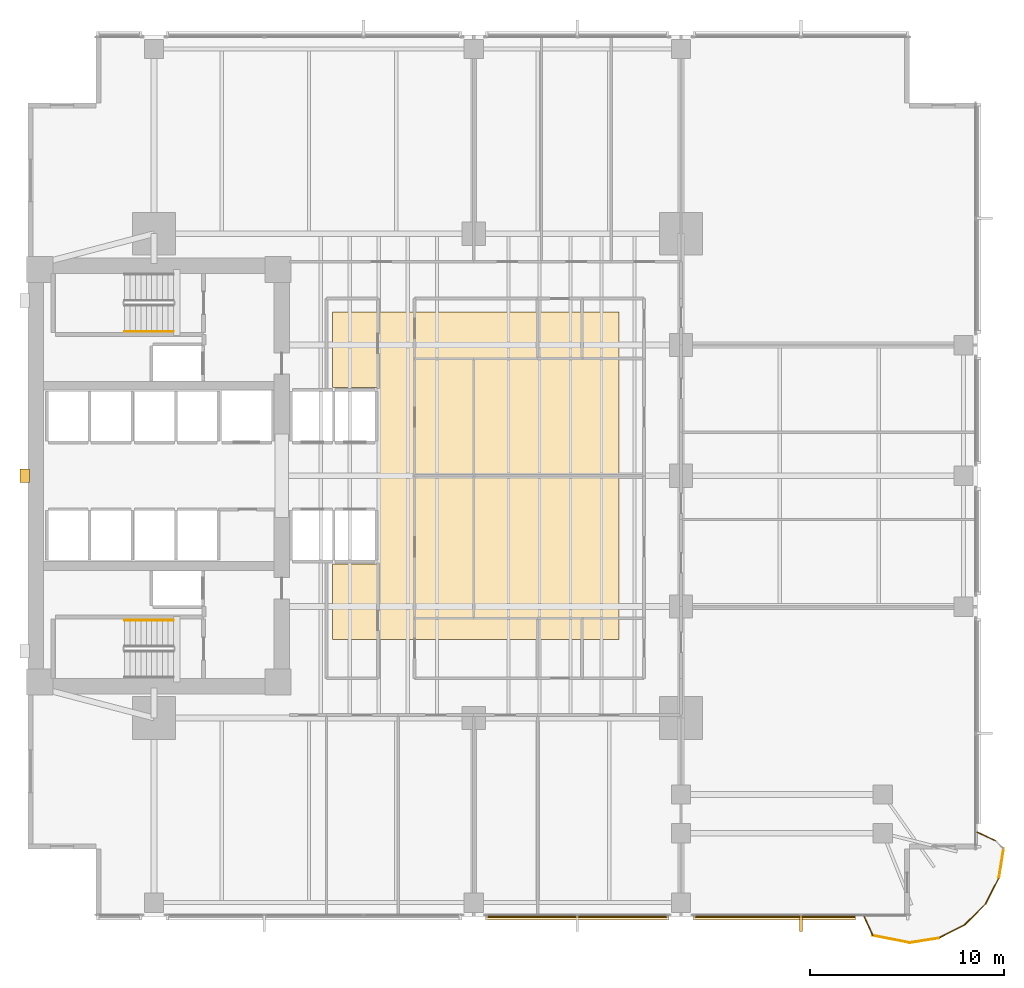
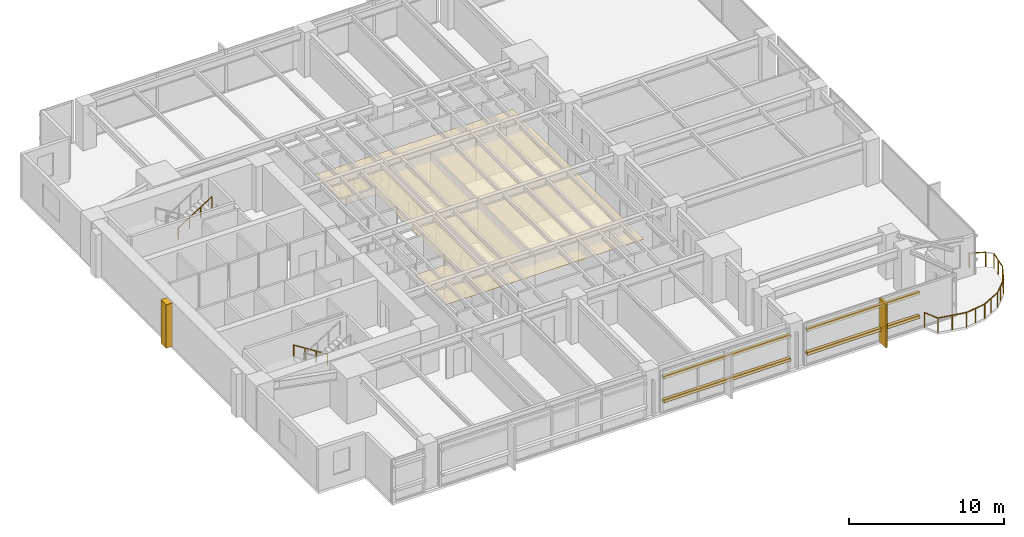
# One storey, part 13 of 16: 10 railings, 7 coverings, 4 shading devices.
"""IFC4 building model written with IfcOpenShell, lengths in metres."""

from ifc_helpers import new_model, si_unit, direction, frame, origin, origin_2d, place, context, subcontext, project, spatial, polyline, rectangle, circle, outline, extrude, material, layer, layer_set, material_profile, profile_set, type_object, element, save


model = new_model("IFC4")

# Units and contexts
model_context = context("Model", 3, precision=1e-05, world=origin(), true_north=direction((0.0, 1.0)))
body_context = subcontext(model_context, "Body", "Model", "MODEL_VIEW")
ifc_project = project(units=[si_unit("LENGTHUNIT", "METRE"), si_unit("AREAUNIT", "SQUARE_METRE"), si_unit("VOLUMEUNIT", "CUBIC_METRE"), si_unit("PLANEANGLEUNIT", "RADIAN"), si_unit("MASSUNIT", "GRAM", prefix="KILO")], contexts=[model_context])

# Site, building, storey
site_placement = place(None, origin())
site = spatial("IfcSite", under=ifc_project, at=site_placement, CompositionType="ELEMENT")
building_placement = place(site_placement, origin())
building = spatial("IfcBuilding", under=site, at=building_placement, Name="Kinhvarn Gate Tower", CompositionType="ELEMENT")
storey_placement = place(building_placement, frame((0.0, 0.0, 82.39990234375)))
storey = spatial("IfcBuildingStorey", under=building, at=storey_placement, Name="L21", CompositionType="ELEMENT", Elevation=82.39990234375)

# Coverings
ifc_material_1 = material(Name="Fired architectural terracotta", Category="masonry")
ifc_layer_1 = layer(ifc_material_1, 0.239990234375)
ifc_layer_set_1 = layer_set([ifc_layer_1], Name="Fired architectural terracotta")
covering_type_1 = type_object("IfcCoveringType", Name="COV-BAG-220", PredefinedType="CLADDING", material=ifc_layer_set_1)
for number, where, name in (
    (1, (0.0, 0.0, 0.940185546875), "Terracotta Horizontal Sunscreen Band TBG-220 (L21)"),
    (2, (0.0, 0.0, 2.81005859375), "Terracotta Horizontal Sunscreen Band TBG-220 (L21)"),
):
    element("IfcCovering", number, at=place(storey_placement, frame(where)), inside=storey, type_object=covering_type_1, Name=name, PredefinedType="CLADDING", context=body_context, shape_type="SweptSolid", body=[
        extrude(outline(polyline([(28.1201171875, 2.56005859375), (37.580078125, 2.56005859375), (37.580078125, 2.320068359375), (28.1201171875, 2.320068359375), (28.1201171875, 2.56005859375)])), origin(), (0.0, 0.0, 1.0), 0.219970703125),
    ])
for number, where, name in (
    (3, (0.0, 0.0, 0.940185546875), "Terracotta Horizontal Sunscreen Band TBG-220 (L21)"),
    (4, (0.0, 0.0, 2.81005859375), "Terracotta Horizontal Sunscreen Band TBG-220 (L21)"),
):
    element("IfcCovering", number, at=place(storey_placement, frame(where)), inside=storey, type_object=covering_type_1, Name=name, PredefinedType="CLADDING", context=body_context, shape_type="SweptSolid", body=[
        extrude(outline(polyline([(38.820068359375, 2.56005859375), (47.200927734375, 2.56005859375), (47.200927734375, 2.320068359375), (38.820068359375, 2.320068359375), (38.820068359375, 2.56005859375)])), origin(), (0.0, 0.0, 1.0), 0.219970703125),
    ])
ifc_material_2 = material(Name="Mineral-fibre acoustic ceiling tile")
ifc_layer_2 = layer(ifc_material_2, 0.02001953125)
ifc_layer_set_2 = layer_set([ifc_layer_2], Name="Mineral-fibre acoustic ceiling tile")
covering_type_2 = type_object("IfcCoveringType", Name="COV-CEIL-20", PredefinedType="CEILING", material=ifc_layer_set_2)
covering_1_placement = place(storey_placement, frame((0.0, 0.0, 2.650146484375)))
element("IfcCovering", 5, at=covering_1_placement, inside=storey, type_object=covering_type_2, Name="Suspended Acoustic Ceiling Tile (L21-1)", PredefinedType="CEILING", context=body_context, shape_type="SweptSolid", body=[
    extrude(outline(polyline([(35.0, 33.699951171875), (35.0, 16.800048828125), (20.199951171875, 16.800048828125), (20.199951171875, 20.699951171875), (22.60009765625, 20.699951171875), (22.60009765625, 29.800048828125), (20.199951171875, 29.800048828125), (20.199951171875, 33.699951171875), (35.0, 33.699951171875)])), origin(), (0.0, 0.0, 1.0), 0.02001953125),
])
ifc_layer_3 = layer(ifc_material_1, 0.139892578125)
ifc_layer_set_3 = layer_set([ifc_layer_3], Name="Fired architectural terracotta")
covering_type_3 = type_object("IfcCoveringType", Name="COV-FIN-850", PredefinedType="CLADDING", material=ifc_layer_set_3)
covering_2_placement = place(storey_placement, frame((0.0, 0.0, -0.02001953125)))
element("IfcCovering", 6, at=covering_2_placement, inside=storey, type_object=covering_type_3, Name="Vertical Terracotta Expressive Fin TFN-850 (L21)", PredefinedType="CLADDING", context=body_context, shape_type="SweptSolid", body=[
    extrude(outline(polyline([(44.320068359375, 2.570068359375), (44.4599609375, 2.570068359375), (44.4599609375, 1.719970703125), (44.320068359375, 1.719970703125), (44.320068359375, 2.570068359375)])), origin(), (0.0, 0.0, 1.0), 3.41015625),
])
ifc_material_3 = material(Name="Precast white architectural concrete C40/50", Category="concrete")
ifc_layer_4 = layer(ifc_material_3, 0.47998046875)
ifc_layer_set_4 = layer_set([ifc_layer_4], Name="Precast white architectural concrete C40/50")
covering_type_4 = type_object("IfcCoveringType", Name="COV-RIB-450", PredefinedType="CLADDING", material=ifc_layer_set_4)
covering_3_placement = place(storey_placement, frame((0.0, 0.0, -0.02001953125)))
element("IfcCovering", 7, at=covering_3_placement, inside=storey, type_object=covering_type_4, Name="West Core Sculptural Concrete Relief Rib CRB-450 (L21)", PredefinedType="CLADDING", context=body_context, shape_type="SweptSolid", body=[
    extrude(outline(polyline([(4.080078125, 24.89990234375), (4.56005859375, 24.89990234375), (4.56005859375, 25.60009765625), (4.080078125, 25.60009765625), (4.080078125, 24.89990234375)])), origin(), (0.0, 0.0, 1.0), 3.41015625),
])

# Railings
ifc_material_4 = material(Name="Clear low-e double glazing", Category="glass")
railing_type_1 = type_object("IfcRailingType", Name="RL-BAL-1150", PredefinedType="BALUSTRADE", material=ifc_material_4)
railing_1_placement = place(storey_placement, frame((47.65087890625, 2.5, 0.0)))
element("IfcRailing", 8, at=railing_1_placement, inside=storey, type_object=railing_type_1, Name="S-Carve Balcony Guardrail Seg 1 (L21)", PredefinedType="BALUSTRADE", context=body_context, shape_type="SweptSolid", body=[
    extrude(circle(Radius=0.02392578125, at=origin_2d()), frame((0.0, 0.0, 1.1259765625), z_axis=(0.420300830951, -0.907384819965, 0.0), x_axis=(0.907384819965, 0.420300830951, 0.0)), (0.0, 0.0, 1.0), 1.071044921875),
    extrude(circle(Radius=0.02099609375, at=origin_2d()), origin(), (0.0, 0.0, 1.0), 1.101806640625),
    extrude(circle(Radius=0.02099609375, at=origin_2d()), frame((0.4501953125, -0.971923828125, 0.0)), (0.0, 0.0, 1.0), 1.101806640625),
])
railing_2_placement = place(storey_placement, frame((48.10107421875, 1.528076171875, 0.0)))
element("IfcRailing", 9, at=railing_2_placement, inside=storey, type_object=railing_type_1, Name="S-Carve Balcony Guardrail Seg 2 (L21)", PredefinedType="BALUSTRADE", context=body_context, shape_type="SweptSolid", body=[
    extrude(circle(Radius=0.02392578125, at=origin_2d()), frame((0.0, 0.0, 1.1259765625), z_axis=(0.980740388519, -0.195315873209, 0.0), x_axis=(0.195315873209, 0.980740388519, 0.0)), (0.0, 0.0, 1.0), 1.936279296875),
    extrude(circle(Radius=0.02099609375, at=origin_2d()), origin(), (0.0, 0.0, 1.0), 1.101806640625),
    extrude(circle(Radius=0.02099609375, at=origin_2d()), frame((0.949462890625, -0.18896484375, 0.0)), (0.0, 0.0, 1.0), 1.101806640625),
    extrude(circle(Radius=0.02099609375, at=origin_2d()), frame((1.89892578125, -0.378173828125, 0.0)), (0.0, 0.0, 1.0), 1.101806640625),
])
railing_3_placement = place(storey_placement, frame((50.0, 1.14990234375, 0.0)))
element("IfcRailing", 10, at=railing_3_placement, inside=storey, type_object=railing_type_1, Name="S-Carve Balcony Guardrail Seg 3 (L21)", PredefinedType="BALUSTRADE", context=body_context, shape_type="SweptSolid", body=[
    extrude(circle(Radius=0.02392578125, at=origin_2d()), frame((0.0, 0.0, 1.1259765625), z_axis=(0.987671483067, 0.156540862196, 0.0), x_axis=(-0.156540862196, 0.987671483067, 0.0)), (0.0, 0.0, 1.0), 1.517578125),
    extrude(circle(Radius=0.02099609375, at=origin_2d()), origin(), (0.0, 0.0, 1.0), 1.101806640625),
    extrude(circle(Radius=0.02099609375, at=origin_2d()), frame((0.74951171875, 0.11865234375, 0.0)), (0.0, 0.0, 1.0), 1.101806640625),
    extrude(circle(Radius=0.02099609375, at=origin_2d()), frame((1.498779296875, 0.237548828125, 0.0)), (0.0, 0.0, 1.0), 1.101806640625),
])
railing_4_placement = place(storey_placement, frame((51.498779296875, 1.387451171875, 0.0)))
element("IfcRailing", 11, at=railing_4_placement, inside=storey, type_object=railing_type_1, Name="S-Carve Balcony Guardrail Seg 4 (L21)", PredefinedType="BALUSTRADE", context=body_context, shape_type="SweptSolid", body=[
    extrude(circle(Radius=0.02392578125, at=origin_2d()), frame((0.0, 0.0, 1.1259765625), z_axis=(0.890990379828, 0.454022183437, 0.0), x_axis=(-0.454022183437, 0.890990379828, 0.0)), (0.0, 0.0, 1.0), 1.517578125),
    extrude(circle(Radius=0.02099609375, at=origin_2d()), origin(), (0.0, 0.0, 1.0), 1.101806640625),
    extrude(circle(Radius=0.02099609375, at=origin_2d()), frame((0.676025390625, 0.344482421875, 0.0)), (0.0, 0.0, 1.0), 1.101806640625),
    extrude(circle(Radius=0.02099609375, at=origin_2d()), frame((1.35205078125, 0.68896484375, 0.0)), (0.0, 0.0, 1.0), 1.101806640625),
])
railing_5_placement = place(storey_placement, frame((52.850830078125, 2.076416015625, 0.0)))
element("IfcRailing", 12, at=railing_5_placement, inside=storey, type_object=railing_type_1, Name="S-Carve Balcony Guardrail Seg 5 (L21)", PredefinedType="BALUSTRADE", context=body_context, shape_type="SweptSolid", body=[
    extrude(circle(Radius=0.02392578125, at=origin_2d()), frame((0.0, 0.0, 1.1259765625), z_axis=(0.707106781187, 0.707106781187, 0.0), x_axis=(-0.707106781187, 0.707106781187, 0.0)), (0.0, 0.0, 1.0), 1.51708984375),
    extrude(circle(Radius=0.02099609375, at=origin_2d()), origin(), (0.0, 0.0, 1.0), 1.101806640625),
    extrude(circle(Radius=0.02099609375, at=origin_2d()), frame((0.536376953125, 0.536376953125, 0.0)), (0.0, 0.0, 1.0), 1.101806640625),
    extrude(circle(Radius=0.02099609375, at=origin_2d()), frame((1.07275390625, 1.07275390625, 0.0)), (0.0, 0.0, 1.0), 1.101806640625),
])
railing_6_placement = place(storey_placement, frame((53.923583984375, 3.149169921875, 0.0)))
element("IfcRailing", 13, at=railing_6_placement, inside=storey, type_object=railing_type_1, Name="S-Carve Balcony Guardrail Seg 6 (L21)", PredefinedType="BALUSTRADE", context=body_context, shape_type="SweptSolid", body=[
    extrude(circle(Radius=0.02392578125, at=origin_2d()), frame((0.0, 0.0, 1.1259765625), z_axis=(0.454022183437, 0.890990379828, 0.0), x_axis=(-0.890990379828, 0.454022183437, 0.0)), (0.0, 0.0, 1.0), 1.517578125),
    extrude(circle(Radius=0.02099609375, at=origin_2d()), origin(), (0.0, 0.0, 1.0), 1.101806640625),
    extrude(circle(Radius=0.02099609375, at=origin_2d()), frame((0.344482421875, 0.676025390625, 0.0)), (0.0, 0.0, 1.0), 1.101806640625),
    extrude(circle(Radius=0.02099609375, at=origin_2d()), frame((0.68896484375, 1.35205078125, 0.0)), (0.0, 0.0, 1.0), 1.101806640625),
])
railing_7_placement = place(storey_placement, frame((54.612548828125, 4.501220703125, 0.0)))
element("IfcRailing", 14, at=railing_7_placement, inside=storey, type_object=railing_type_1, Name="S-Carve Balcony Guardrail Seg 7 (L21)", PredefinedType="BALUSTRADE", context=body_context, shape_type="SweptSolid", body=[
    extrude(circle(Radius=0.02392578125, at=origin_2d()), frame((0.0, 0.0, 1.1259765625), z_axis=(0.156540862196, 0.987671483067, 0.0), x_axis=(-0.987671483067, 0.156540862196, 0.0)), (0.0, 0.0, 1.0), 1.517578125),
    extrude(circle(Radius=0.02099609375, at=origin_2d()), origin(), (0.0, 0.0, 1.0), 1.101806640625),
    extrude(circle(Radius=0.02099609375, at=origin_2d()), frame((0.11865234375, 0.74951171875, 0.0)), (0.0, 0.0, 1.0), 1.101806640625),
    extrude(circle(Radius=0.02099609375, at=origin_2d()), frame((0.237548828125, 1.498779296875, 0.0)), (0.0, 0.0, 1.0), 1.101806640625),
])
railing_8_placement = place(storey_placement, frame((54.471923828125, 6.40087890625, 0.0)))
element("IfcRailing", 15, at=railing_8_placement, inside=storey, type_object=railing_type_1, Name="S-Carve Balcony Guardrail Seg 9 (L21)", PredefinedType="BALUSTRADE", context=body_context, shape_type="SweptSolid", body=[
    extrude(circle(Radius=0.02392578125, at=origin_2d()), frame((0.0, 0.0, 1.1259765625), z_axis=(-0.907384819965, 0.420300830951, 0.0), x_axis=(-0.420300830951, -0.907384819965, 0.0)), (0.0, 0.0, 1.0), 1.071044921875),
    extrude(circle(Radius=0.02099609375, at=origin_2d()), origin(), (0.0, 0.0, 1.0), 1.101806640625),
    extrude(circle(Radius=0.02099609375, at=origin_2d()), frame((-0.971923828125, 0.4501953125, 0.0)), (0.0, 0.0, 1.0), 1.101806640625),
])
ifc_material_5 = material(Name="Steel S355", Category="steel")
railing_type_2 = type_object("IfcRailingType", Name="RL-ST-HND", PredefinedType="HANDRAIL", material=ifc_material_5)
railing_9_placement = place(storey_placement, frame((12.0, 17.800048828125, 0.177490234375)))
element("IfcRailing", 16, at=railing_9_placement, inside=storey, type_object=railing_type_2, Name="L21 ST1 stair handrail 1", PredefinedType="HANDRAIL", context=body_context, shape_type="SweptSolid", body=[
    extrude(circle(Radius=0.02392578125, at=origin_2d()), frame((0.0, 0.0, 0.8759765625), z_axis=(-0.84456994832, 0.0, 0.535445237532), x_axis=(0.0, -1.0, 0.0)), (0.0, 0.0, 1.0), 2.98388671875),
    extrude(circle(Radius=0.02099609375, at=origin_2d()), origin(), (0.0, 0.0, 1.0), 0.851806640625),
    extrude(circle(Radius=0.02099609375, at=origin_2d()), frame((-0.840087890625, 0.0, 0.532470703125)), (0.0, 0.0, 1.0), 0.851806640625),
    extrude(circle(Radius=0.02099609375, at=origin_2d()), frame((-1.679931640625, 0.0, 1.065185546875)), (0.0, 0.0, 1.0), 0.851806640625),
    extrude(circle(Radius=0.02099609375, at=origin_2d()), frame((-2.52001953125, 0.0, 1.59765625)), (0.0, 0.0, 1.0), 0.851806640625),
])
railing_10_placement = place(storey_placement, frame((9.47998046875, 32.699951171875, 1.95263671875)))
element("IfcRailing", 17, at=railing_10_placement, inside=storey, type_object=railing_type_2, Name="L21 ST2 stair handrail 2", PredefinedType="HANDRAIL", context=body_context, shape_type="SweptSolid", body=[
    extrude(circle(Radius=0.02392578125, at=origin_2d()), frame((0.0, 0.0, 0.8759765625), z_axis=(0.84460694969, 0.0, 0.535386869969), x_axis=(0.0, 1.0, 0.0)), (0.0, 0.0, 1.0), 2.983642578125),
    extrude(circle(Radius=0.02099609375, at=origin_2d()), origin(), (0.0, 0.0, 1.0), 0.851806640625),
    extrude(circle(Radius=0.02099609375, at=origin_2d()), frame((0.840087890625, 0.0, 0.532470703125)), (0.0, 0.0, 1.0), 0.851806640625),
    extrude(circle(Radius=0.02099609375, at=origin_2d()), frame((1.679931640625, 0.0, 1.06494140625)), (0.0, 0.0, 1.0), 0.851806640625),
    extrude(circle(Radius=0.02099609375, at=origin_2d()), frame((2.52001953125, 0.0, 1.597412109375)), (0.0, 0.0, 1.0), 0.851806640625),
])

# Shading devices
ifc_material_profile = material_profile(ifc_material_1, rectangle(XDim=0.06005859375, YDim=0.139892578125, at=origin_2d()), Name="TC 60x140")
ifc_profile_set = profile_set([ifc_material_profile], Name="Fired architectural terracotta")
shading_device_type = type_object("IfcShadingDeviceType", Name="SHD-BAG-180", PredefinedType="USERDEFINED", material=ifc_profile_set)
for number, where, z_axis, x_axis, name in (
    (18, (28.1201171875, 2.485107421875, 1.050048828125), (1.0, 0.0, 0.0), (0.0, 1.0, 0.0), "Fired Terracotta Baguette Screen Rod 60x140 mm (L21)"),
    (19, (28.1201171875, 2.485107421875, 2.920166015625), (1.0, 0.0, 0.0), (0.0, 1.0, 0.0), "Fired Terracotta Baguette Screen Rod 60x140 mm (L21)"),
):
    element("IfcShadingDevice", number, at=place(storey_placement, frame(where, z_axis=z_axis, x_axis=x_axis)), inside=storey, type_object=shading_device_type, Name=name, ObjectType="BAGUETTE", PredefinedType="USERDEFINED", context=body_context, shape_type="SweptSolid", body=[
        extrude(rectangle(XDim=0.06005859375, YDim=0.139892578125, at=origin_2d()), origin(), (0.0, 0.0, 1.0), 9.4599609375),
    ])
for number, where, z_axis, x_axis, name in (
    (20, (38.820068359375, 2.485107421875, 1.050048828125), (1.0, 0.0, 0.0), (0.0, 1.0, 0.0), "Fired Terracotta Baguette Screen Rod 60x140 mm (L21)"),
    (21, (38.820068359375, 2.485107421875, 2.920166015625), (1.0, 0.0, 0.0), (0.0, 1.0, 0.0), "Fired Terracotta Baguette Screen Rod 60x140 mm (L21)"),
):
    element("IfcShadingDevice", number, at=place(storey_placement, frame(where, z_axis=z_axis, x_axis=x_axis)), inside=storey, type_object=shading_device_type, Name=name, ObjectType="BAGUETTE", PredefinedType="USERDEFINED", context=body_context, shape_type="SweptSolid", body=[
        extrude(rectangle(XDim=0.06005859375, YDim=0.139892578125, at=origin_2d()), origin(), (0.0, 0.0, 1.0), 8.380859375),
    ])

save(model, "model.ifc")
